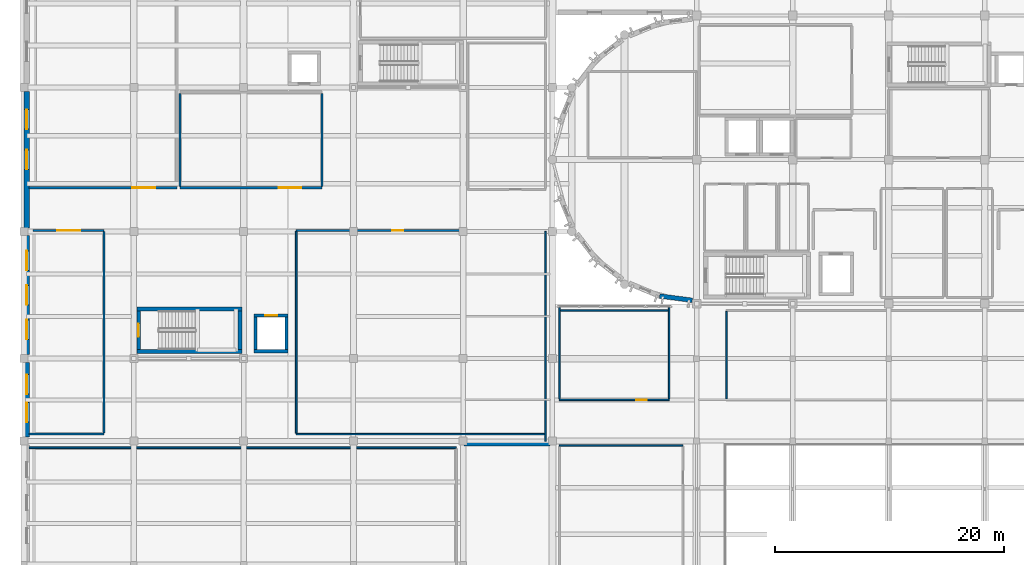
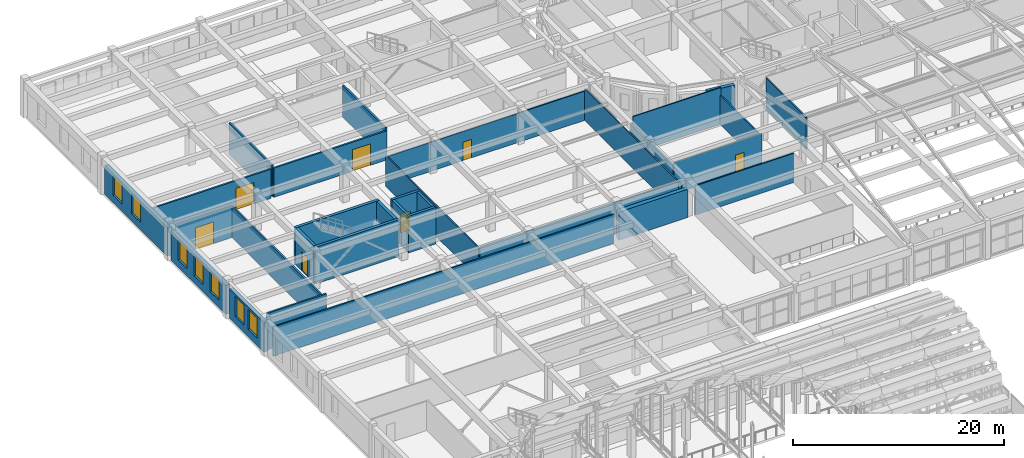
# One storey, part 67 of 91: 31 walls, 7 doors, 7 windows, 14 openings.
"""IFC4 building model written with IfcOpenShell, lengths in metres."""

from ifc_helpers import new_model, si_unit, direction, frame, frame_2d, origin, place, context, subcontext, project, spatial, rectangle, extrude, material, layer, layer_set, type_object, element, fill, save


model = new_model("IFC4")

# Units and contexts
model_context = context("Model", 3, precision=1e-05, world=origin(), true_north=direction((0.0, 1.0)))
body_context = subcontext(model_context, "Body", "Model", "MODEL_VIEW")
ifc_project = project(units=[si_unit("LENGTHUNIT", "METRE"), si_unit("AREAUNIT", "SQUARE_METRE"), si_unit("VOLUMEUNIT", "CUBIC_METRE"), si_unit("PLANEANGLEUNIT", "RADIAN"), si_unit("MASSUNIT", "GRAM", prefix="KILO")], contexts=[model_context])

# Site, building, storey
site_placement = place(None, origin())
site = spatial("IfcSite", under=ifc_project, at=site_placement, CompositionType="ELEMENT")
building_placement = place(site_placement, origin())
building = spatial("IfcBuilding", under=site, at=building_placement, Name="Tarnavel Promenade Courthouse", CompositionType="ELEMENT")
storey_placement = place(building_placement, frame((0.0, 0.0, 9.89990234375)))
storey = spatial("IfcBuildingStorey", under=building, at=storey_placement, Name="L03", CompositionType="ELEMENT", Elevation=9.89990234375)

# Wall
ifc_material_1 = material(Name="Acoustic Insulated Gypsum Stud Partition", Category="gypsum")
ifc_layer_1 = layer(ifc_material_1, 0.14990234375)
ifc_layer_set_1 = layer_set([ifc_layer_1], Name="Acoustic Insulated Gypsum Stud Partition")
wall_type_1 = type_object("IfcWallType", Name="Acoustic Insulated Gypsum Stud Partition WL-LIB-150 (150 mm)", PredefinedType="PARTITIONING", material=ifc_layer_set_1)
wall_1_placement = place(storey_placement, frame((0.4541015625, 66.60009765625, 0.0), z_axis=(0.0, 0.0, 1.0), x_axis=(1.0, 0.0, 0.0)))
element("IfcWall", 1, at=wall_1_placement, inside=storey, type_object=wall_type_1, Name="L03 Law Library Book Stacks Case Reports Partition 0452", PredefinedType="PARTITIONING", context=body_context, shape_type="SweptSolid", body=[
    extrude(rectangle(XDim=37.345947265625, YDim=0.14990234375, at=frame_2d((18.6728515625, 0.0))), origin(), (0.0, 0.0, 1.0), 3.380126953125),
])

# Wall, opening, door
ifc_material_2 = material(Name="Concrete C40/50", Category="concrete")
ifc_layer_2 = layer(ifc_material_2, 0.280029296875)
ifc_layer_set_2 = layer_set([ifc_layer_2], Name="Concrete C40/50")
wall_type_2 = type_object("IfcWallType", Name="Concrete C40/50 WL-SHR-280 (280 mm)", PredefinedType="SHEAR", material=ifc_layer_set_2)
wall_2_placement = place(storey_placement, frame((20.10009765625, 78.159912109375, 0.0), z_axis=(0.0, 0.0, 1.0), x_axis=(1.0, 0.0, 0.0)))
wall_2 = element("IfcWall", 2, at=wall_2_placement, inside=storey, type_object=wall_type_2, Name="L03 L-PUB3 Lift Shaft North Wall", PredefinedType="SHEAR", context=body_context, shape_type="SweptSolid", body=[
    extrude(rectangle(XDim=3.0, YDim=0.280029296875, at=frame_2d((1.5, 0.0))), origin(), (0.0, 0.0, 1.0), 4.25),
])
opening_1_placement = place(wall_2_placement, frame((0.97509765625, 0.0, 0.0)))
opening_1 = element("IfcOpeningElement", 3, at=opening_1_placement, cuts=wall_2, Name="Opening LD-02", PredefinedType="OPENING", context=body_context, shape_type="SweptSolid", body=[
    extrude(rectangle(XDim=1.050048828125, YDim=2.199951171875, at=frame_2d((0.52490234375, 1.10009765625))), frame((0.0, 0.14990234375, 0.0), z_axis=(0.0, -1.0, 0.0), x_axis=(1.0, 0.0, 0.0)), (0.0, 0.0, 1.0), 0.300048828125),
])
ifc_material_3 = material(Name="Brushed Bronze Passenger Lift Landing Sliding Door")
door_type_1 = type_object("IfcDoorType", Name="Brushed Bronze Passenger Lift Landing Sliding Door (LD-PUB-1050x2200)", OperationType="NOTDEFINED", PredefinedType="DOOR", material=ifc_material_3)
door_1_placement = place(opening_1_placement, origin())
door_1 = element("IfcDoor", 4, at=door_1_placement, inside=storey, type_object=door_type_1, Name="L03 L-PUB3 Lift Sliding Landing Door", OperationType="DOUBLE_DOOR_SLIDING", OverallHeight=2.199951171875, OverallWidth=1.050048828125, PredefinedType="DOOR", context=body_context, shape_type="SweptSolid", body=[
    extrude(rectangle(XDim=1.050048828125, YDim=2.199951171875, at=frame_2d((0.52490234375, 1.10009765625))), frame((0.0, 0.02490234375, 0.0), z_axis=(0.0, -1.0, 0.0), x_axis=(1.0, 0.0, 0.0)), (0.0, 0.0, 1.0), 0.050048828125),
])
fill(opening_1, door_1)

# Walls
wall_3_placement = place(storey_placement, frame((23.10009765625, 75.0400390625, 0.0), z_axis=(0.0, 0.0, 1.0), x_axis=(-1.0, 0.0, 0.0)))
element("IfcWall", 5, at=wall_3_placement, inside=storey, type_object=wall_type_2, Name="L03 L-PUB3 Lift Shaft South Wall", PredefinedType="SHEAR", context=body_context, shape_type="SweptSolid", body=[
    extrude(rectangle(XDim=3.0, YDim=0.280029296875, at=frame_2d((1.5, 0.0))), origin(), (0.0, 0.0, 1.0), 4.25),
])
for number, where, z_axis, x_axis, name in (
    (6, (20.239990234375, 75.179931640625, 0.0), (0.0, 0.0, 1.0), (0.0, 1.0, 0.0), "L03 L-PUB3 Lift Shaft West Wall"),
    (7, (22.9599609375, 78.02001953125, 0.0), (0.0, 0.0, 1.0), (0.0, -1.0, 0.0), "L03 L-PUB3 Lift Shaft East Wall"),
):
    element("IfcWall", number, at=place(storey_placement, frame(where, z_axis=z_axis, x_axis=x_axis)), inside=storey, type_object=wall_type_2, Name=name, PredefinedType="SHEAR", context=body_context, shape_type="SweptSolid", body=[
        extrude(rectangle(XDim=2.840087890625, YDim=0.280029296875, at=frame_2d((1.419921875, 0.0))), origin(), (0.0, 0.0, 1.0), 4.25),
    ])
ifc_layer_3 = layer(ifc_material_2, 0.320068359375)
ifc_layer_set_3 = layer_set([ifc_layer_3], Name="Concrete C40/50")
wall_type_3 = type_object("IfcWallType", Name="Concrete C40/50 WL-SHR-320 (320 mm)", PredefinedType="SHEAR", material=ifc_layer_set_3)
for number, where, z_axis, x_axis, name in (
    (8, (9.860107421875, 78.739990234375, 0.0), (0.0, 0.0, 1.0), (1.0, 0.0, 0.0), "L03 ST-04 Shear Core North Wall"),
    (9, (19.0400390625, 75.02001953125, 0.0), (0.0, 0.0, 1.0), (-1.0, 0.0, 0.0), "L03 ST-04 Shear Core South Wall"),
):
    element("IfcWall", number, at=place(storey_placement, frame(where, z_axis=z_axis, x_axis=x_axis)), inside=storey, type_object=wall_type_3, Name=name, PredefinedType="SHEAR", context=body_context, shape_type="SweptSolid", body=[
        extrude(rectangle(XDim=9.179931640625, YDim=0.320068359375, at=frame_2d((4.58984375, 0.0))), origin(), (0.0, 0.0, 1.0), 4.25),
    ])

# Wall, opening, door
wall_4_placement = place(storey_placement, frame((10.02001953125, 75.179931640625, 0.0), z_axis=(0.0, 0.0, 1.0), x_axis=(0.0, 1.0, 0.0)))
wall_4 = element("IfcWall", 10, at=wall_4_placement, inside=storey, type_object=wall_type_3, Name="L03 ST-04 Shear Core West Landing Wall", PredefinedType="SHEAR", context=body_context, shape_type="SweptSolid", body=[
    extrude(rectangle(XDim=3.400146484375, YDim=0.320068359375, at=frame_2d((1.7001953125, 0.0))), origin(), (0.0, 0.0, 1.0), 4.25),
])
opening_2_placement = place(wall_4_placement, frame((1.125, 0.0, 0.0)))
opening_2 = element("IfcOpeningElement", 11, at=opening_2_placement, cuts=wall_4, Name="Opening FD-01", PredefinedType="OPENING", context=body_context, shape_type="SweptSolid", body=[
    extrude(rectangle(XDim=1.14990234375, YDim=2.199951171875, at=frame_2d((0.574951171875, 1.10009765625))), frame((0.0, 0.169921875, 0.0), z_axis=(0.0, -1.0, 0.0), x_axis=(1.0, 0.0, 0.0)), (0.0, 0.0, 1.0), 0.340087890625),
])
ifc_material_4 = material(Name="Steel Fire-Rated Stair Core Door", Category="steel")
door_type_2 = type_object("IfcDoorType", Name="Steel Fire-Rated Stair Core Door (DR-ST-1150x2200)", OperationType="NOTDEFINED", PredefinedType="DOOR", material=ifc_material_4)
door_2_placement = place(opening_2_placement, origin())
door_2 = element("IfcDoor", 12, at=door_2_placement, inside=storey, type_object=door_type_2, Name="L03 ST-04 Protected Exit Stair Door", OperationType="SINGLE_SWING_LEFT", OverallHeight=2.199951171875, OverallWidth=1.14990234375, PredefinedType="DOOR", context=body_context, shape_type="SweptSolid", body=[
    extrude(rectangle(XDim=1.14990234375, YDim=2.199951171875, at=frame_2d((0.574951171875, 1.10009765625))), frame((0.0, 0.02490234375, 0.0), z_axis=(0.0, -1.0, 0.0), x_axis=(1.0, 0.0, 0.0)), (0.0, 0.0, 1.0), 0.050048828125),
])
fill(opening_2, door_2)

# Wall
wall_5_placement = place(storey_placement, frame((18.8798828125, 78.580078125, 0.0), z_axis=(0.0, 0.0, 1.0), x_axis=(0.0, -1.0, 0.0)))
element("IfcWall", 13, at=wall_5_placement, inside=storey, type_object=wall_type_3, Name="L03 ST-04 Shear Core East Wall", PredefinedType="SHEAR", context=body_context, shape_type="SweptSolid", body=[
    extrude(rectangle(XDim=3.400146484375, YDim=0.320068359375, at=frame_2d((1.7001953125, 0.0))), origin(), (0.0, 0.0, 1.0), 4.25),
])

# Wall, opening, door
ifc_material_5 = material(Name="Double-Stud Acoustic Courtroom Partition Assembly", Category="gypsum")
ifc_layer_4 = layer(ifc_material_5, 0.18505859375)
ifc_layer_set_4 = layer_set([ifc_layer_4], Name="Double-Stud Acoustic Courtroom Partition Assembly")
wall_type_4 = type_object("IfcWallType", Name="Double-Stud Acoustic Courtroom Partition Assembly WL-CRT-185 (185 mm)", PredefinedType="PARTITIONING", material=ifc_layer_set_4)
wall_6_placement = place(storey_placement, frame((13.360107421875, 89.340087890625, 0.0), z_axis=(0.0, 0.0, 1.0), x_axis=(-1.0, 0.0, 0.0)))
wall_6 = element("IfcWall", 14, at=wall_6_placement, inside=storey, type_object=wall_type_4, Name="L03 Criminal Assize Courtroom A Partition 0432", PredefinedType="PARTITIONING", context=body_context, shape_type="SweptSolid", body=[
    extrude(rectangle(XDim=12.906005859375, YDim=0.18505859375, at=frame_2d((6.453125, 0.0))), origin(), (0.0, 0.0, 1.0), 3.380126953125),
])
opening_3_placement = place(wall_6_placement, frame((1.880859375, 0.0, 0.0)))
opening_3 = element("IfcOpeningElement", 15, at=opening_3_placement, cuts=wall_6, Name="Opening ID-01", PredefinedType="OPENING", context=body_context, shape_type="SweptSolid", body=[
    extrude(rectangle(XDim=2.0, YDim=2.5, at=frame_2d((1.0, 1.25))), frame((0.0, 0.1025390625, 0.0), z_axis=(0.0, -1.0, 0.0), x_axis=(1.0, 0.0, 0.0)), (0.0, 0.0, 1.0), 0.205078125),
])
ifc_material_6 = material(Name="Solid Oak Acoustic Courtroom Double Door")
door_type_3 = type_object("IfcDoorType", Name="Solid Oak Acoustic Courtroom Double Door (DR-CRT-2000x2500)", OperationType="NOTDEFINED", PredefinedType="DOOR", material=ifc_material_6)
door_3_placement = place(opening_3_placement, origin())
door_3 = element("IfcDoor", 16, at=door_3_placement, inside=storey, type_object=door_type_3, Name="L03 Criminal Assize Courtroom A Door 0123", OperationType="DOUBLE_DOOR_SINGLE_SWING", OverallHeight=2.5, OverallWidth=2.0, PredefinedType="DOOR", context=body_context, shape_type="SweptSolid", body=[
    extrude(rectangle(XDim=2.0, YDim=2.5, at=frame_2d((1.0, 1.25))), frame((0.0, 0.02490234375, 0.0), z_axis=(0.0, -1.0, 0.0), x_axis=(1.0, 0.0, 0.0)), (0.0, 0.0, 1.0), 0.050048828125),
])
fill(opening_3, door_3)

wall_7_placement = place(storey_placement, frame((26.06005859375, 89.340087890625, 0.0), z_axis=(0.0, 0.0, 1.0), x_axis=(-1.0, 0.0, 0.0)))
wall_7 = element("IfcWall", 17, at=wall_7_placement, inside=storey, type_object=wall_type_4, Name="L03 Criminal Assize Courtroom B Partition 0435", PredefinedType="PARTITIONING", context=body_context, shape_type="SweptSolid", body=[
    extrude(rectangle(XDim=12.420166015625, YDim=0.18505859375, at=frame_2d((6.2099609375, 0.0))), origin(), (0.0, 0.0, 1.0), 3.380126953125),
])
opening_4_placement = place(wall_7_placement, frame((1.80810546875, 0.0, 0.0)))
opening_4 = element("IfcOpeningElement", 18, at=opening_4_placement, cuts=wall_7, Name="Opening ID-01", PredefinedType="OPENING", context=body_context, shape_type="SweptSolid", body=[
    extrude(rectangle(XDim=2.0, YDim=2.5, at=frame_2d((1.0, 1.25))), frame((0.0, 0.1025390625, 0.0), z_axis=(0.0, -1.0, 0.0), x_axis=(1.0, 0.0, 0.0)), (0.0, 0.0, 1.0), 0.205078125),
])
door_4_placement = place(opening_4_placement, origin())
door_4 = element("IfcDoor", 19, at=door_4_placement, inside=storey, type_object=door_type_3, Name="L03 Criminal Assize Courtroom B Door 0124", OperationType="DOUBLE_DOOR_SINGLE_SWING", OverallHeight=2.5, OverallWidth=2.0, PredefinedType="DOOR", context=body_context, shape_type="SweptSolid", body=[
    extrude(rectangle(XDim=2.0, YDim=2.5, at=frame_2d((1.0, 1.25))), frame((0.0, 0.02490234375, 0.0), z_axis=(0.0, -1.0, 0.0), x_axis=(1.0, 0.0, 0.0)), (0.0, 0.0, 1.0), 0.050048828125),
])
fill(opening_4, door_4)

# Walls
for number, where, z_axis, x_axis, name in (
    (20, (13.639892578125, 89.4423828125, 0.0), (0.0, 0.0, 1.0), (0.0, 1.0, 0.0), "L03 Criminal Assize Courtroom B Partition 0436"),
    (21, (26.06005859375, 97.597412109375, 0.0), (0.0, 0.0, 1.0), (0.0, -1.0, 0.0), "L03 Criminal Assize Courtroom B Partition 0437"),
):
    element("IfcWall", number, at=place(storey_placement, frame(where, z_axis=z_axis, x_axis=x_axis)), inside=storey, type_object=wall_type_4, Name=name, PredefinedType="PARTITIONING", context=body_context, shape_type="SweptSolid", body=[
        extrude(rectangle(XDim=8.155029296875, YDim=0.18505859375, at=frame_2d((4.07763671875, 0.0))), origin(), (0.0, 0.0, 1.0), 3.630126953125),
    ])

# Wall, opening, door
wall_8_placement = place(storey_placement, frame((0.800048828125, 85.60009765625, 0.0), z_axis=(0.0, 0.0, 1.0), x_axis=(1.0, 0.0, 0.0)))
wall_8 = element("IfcWall", 22, at=wall_8_placement, inside=storey, type_object=wall_type_4, Name="L03 Criminal Trial Courtroom C Partition 0445", PredefinedType="PARTITIONING", context=body_context, shape_type="SweptSolid", body=[
    extrude(rectangle(XDim=6.199951171875, YDim=0.18505859375, at=frame_2d((3.10009765625, 0.0))), origin(), (0.0, 0.0, 1.0), 3.580078125),
])
opening_5_placement = place(wall_8_placement, frame((2.10009765625, 0.0, 0.0)))
opening_5 = element("IfcOpeningElement", 23, at=opening_5_placement, cuts=wall_8, Name="Opening ID-01", PredefinedType="OPENING", context=body_context, shape_type="SweptSolid", body=[
    extrude(rectangle(XDim=2.0, YDim=2.5, at=frame_2d((1.0, 1.25))), frame((0.0, 0.1025390625, 0.0), z_axis=(0.0, -1.0, 0.0), x_axis=(1.0, 0.0, 0.0)), (0.0, 0.0, 1.0), 0.205078125),
])
door_5_placement = place(opening_5_placement, origin())
door_5 = element("IfcDoor", 24, at=door_5_placement, inside=storey, type_object=door_type_3, Name="L03 Criminal Trial Courtroom C Door 0127", OperationType="DOUBLE_DOOR_SINGLE_SWING", OverallHeight=2.5, OverallWidth=2.0, PredefinedType="DOOR", context=body_context, shape_type="SweptSolid", body=[
    extrude(rectangle(XDim=2.0, YDim=2.5, at=frame_2d((1.0, 1.25))), frame((0.0, 0.02490234375, 0.0), z_axis=(0.0, -1.0, 0.0), x_axis=(1.0, 0.0, 0.0)), (0.0, 0.0, 1.0), 0.050048828125),
])
fill(opening_5, door_5)

# Walls
wall_9_placement = place(storey_placement, frame((7.0, 67.800048828125, 0.0), z_axis=(0.0, 0.0, 1.0), x_axis=(-1.0, 0.0, 0.0)))
element("IfcWall", 25, at=wall_9_placement, inside=storey, type_object=wall_type_4, Name="L03 Criminal Trial Courtroom C Partition 0446", PredefinedType="PARTITIONING", context=body_context, shape_type="SweptSolid", body=[
    extrude(rectangle(XDim=6.5458984375, YDim=0.18505859375, at=frame_2d((3.27294921875, 0.0))), origin(), (0.0, 0.0, 1.0), 4.235107421875),
])
wall_10_placement = place(storey_placement, frame((7.0, 85.49755859375, 0.0), z_axis=(0.0, 0.0, 1.0), x_axis=(0.0, -1.0, 0.0)))
element("IfcWall", 26, at=wall_10_placement, inside=storey, type_object=wall_type_4, Name="L03 Criminal Trial Courtroom C Partition 0447", PredefinedType="PARTITIONING", context=body_context, shape_type="SweptSolid", body=[
    extrude(rectangle(XDim=17.594970703125, YDim=0.18505859375, at=frame_2d((8.79736328125, 0.0))), origin(), (0.0, 0.0, 1.0), 3.580078125),
])

# Wall, openings, windows
ifc_material_7 = material(Name="Limestone Ashlar Faced Insulated Brick Masonry", Category="masonry")
ifc_layer_5 = layer(ifc_material_7, 0.43994140625)
ifc_layer_set_5 = layer_set([ifc_layer_5], Name="Limestone Ashlar Faced Insulated Brick Masonry")
wall_type_5 = type_object("IfcWallType", Name="Limestone Ashlar Faced Insulated Brick Masonry WL-EXT-440 (440 mm)", PredefinedType="STANDARD", material=ifc_layer_set_5)
wall_11_placement = place(storey_placement, frame((0.239990234375, 67.5419921875, 0.0), z_axis=(0.0, 0.0, 1.0), x_axis=(0.0, 1.0, 0.0)))
wall_11 = element("IfcWall", 27, at=wall_11_placement, inside=storey, type_object=wall_type_5, Name="L03 Trial Wing West Ashlar Facade 0295", PredefinedType="STANDARD", context=body_context, shape_type="SweptSolid", body=[
    extrude(rectangle(XDim=6.52099609375, YDim=0.43994140625, at=frame_2d((3.260498046875, 0.0))), origin(), (0.0, 0.0, 1.0), 3.43017578125),
])
opening_6_placement = place(wall_11_placement, frame((1.302978515625, 0.0, 0.85009765625)))
opening_6 = element("IfcOpeningElement", 28, at=opening_6_placement, cuts=wall_11, Name="Opening W-01", PredefinedType="OPENING", context=body_context, shape_type="SweptSolid", body=[
    extrude(rectangle(XDim=1.699951171875, YDim=2.300048828125, at=frame_2d((0.85009765625, 1.14990234375))), frame((0.0, 0.22998046875, 0.0), z_axis=(0.0, -1.0, 0.0), x_axis=(1.0, 0.0, 0.0)), (0.0, 0.0, 1.0), 0.4599609375),
])
opening_7_placement = place(wall_11_placement, frame((3.7529296875, 0.0, 0.85009765625)))
opening_7 = element("IfcOpeningElement", 29, at=opening_7_placement, cuts=wall_11, Name="Opening W-01", PredefinedType="OPENING", context=body_context, shape_type="SweptSolid", body=[
    extrude(rectangle(XDim=1.699951171875, YDim=2.300048828125, at=frame_2d((0.85009765625, 1.14990234375))), frame((0.0, 0.22998046875, 0.0), z_axis=(0.0, -1.0, 0.0), x_axis=(1.0, 0.0, 0.0)), (0.0, 0.0, 1.0), 0.4599609375),
])
ifc_material_8 = material(Name="Triple Low-E Glazed Bronze-Clad Window Assembly")
window_type = type_object("IfcWindowType", Name="Triple-Glazed Bronze-Clad Timber-Aluminium WIN-CRT-1700x2300", PartitioningType="SINGLE_PANEL", PredefinedType="WINDOW", material=ifc_material_8)
window_1_placement = place(opening_6_placement, origin())
window_1 = element("IfcWindow", 30, at=window_1_placement, inside=storey, type_object=window_type, Name="L03 Exterior Window 0287", OverallHeight=2.300048828125, OverallWidth=1.699951171875, PartitioningType="SINGLE_PANEL", PredefinedType="WINDOW", context=body_context, shape_type="SweptSolid", body=[
    extrude(rectangle(XDim=1.699951171875, YDim=2.300048828125, at=frame_2d((0.85009765625, 1.14990234375))), frame((0.0, 0.030029296875, 0.0), z_axis=(0.0, -1.0, 0.0), x_axis=(1.0, 0.0, 0.0)), (0.0, 0.0, 1.0), 0.06005859375),
])
fill(opening_6, window_1)
window_2_placement = place(opening_7_placement, origin())
window_2 = element("IfcWindow", 31, at=window_2_placement, inside=storey, type_object=window_type, Name="L03 Exterior Window 0288", OverallHeight=2.300048828125, OverallWidth=1.699951171875, PartitioningType="SINGLE_PANEL", PredefinedType="WINDOW", context=body_context, shape_type="SweptSolid", body=[
    extrude(rectangle(XDim=1.699951171875, YDim=2.300048828125, at=frame_2d((0.85009765625, 1.14990234375))), frame((0.0, 0.030029296875, 0.0), z_axis=(0.0, -1.0, 0.0), x_axis=(1.0, 0.0, 0.0)), (0.0, 0.0, 1.0), 0.06005859375),
])
fill(opening_7, window_2)

wall_12_placement = place(storey_placement, frame((0.239990234375, 74.741943359375, 0.0), z_axis=(0.0, 0.0, 1.0), x_axis=(0.0, 1.0, 0.0)))
wall_12 = element("IfcWall", 32, at=wall_12_placement, inside=storey, type_object=wall_type_5, Name="L03 Trial Wing West Ashlar Facade 0296", PredefinedType="STANDARD", context=body_context, shape_type="SweptSolid", body=[
    extrude(rectangle(XDim=10.421142578125, YDim=0.43994140625, at=frame_2d((5.21044921875, 0.0))), origin(), (0.0, 0.0, 1.0), 3.380126953125),
])
opening_8_placement = place(wall_12_placement, frame((1.3447265625, 0.0, 0.85009765625)))
opening_8 = element("IfcOpeningElement", 33, at=opening_8_placement, cuts=wall_12, Name="Opening W-01", PredefinedType="OPENING", context=body_context, shape_type="SweptSolid", body=[
    extrude(rectangle(XDim=1.699951171875, YDim=2.300048828125, at=frame_2d((0.85009765625, 1.14990234375))), frame((0.0, 0.22998046875, 0.0), z_axis=(0.0, -1.0, 0.0), x_axis=(1.0, 0.0, 0.0)), (0.0, 0.0, 1.0), 0.4599609375),
])
opening_9_placement = place(wall_12_placement, frame((4.35791015625, 0.0, 0.85009765625)))
opening_9 = element("IfcOpeningElement", 34, at=opening_9_placement, cuts=wall_12, Name="Opening W-01", PredefinedType="OPENING", context=body_context, shape_type="SweptSolid", body=[
    extrude(rectangle(XDim=1.699951171875, YDim=2.300048828125, at=frame_2d((0.85009765625, 1.14990234375))), frame((0.0, 0.22998046875, 0.0), z_axis=(0.0, -1.0, 0.0), x_axis=(1.0, 0.0, 0.0)), (0.0, 0.0, 1.0), 0.4599609375),
])
opening_10_placement = place(wall_12_placement, frame((7.371337890625, 0.0, 0.85009765625)))
opening_10 = element("IfcOpeningElement", 35, at=opening_10_placement, cuts=wall_12, Name="Opening W-01", PredefinedType="OPENING", context=body_context, shape_type="SweptSolid", body=[
    extrude(rectangle(XDim=1.699951171875, YDim=2.300048828125, at=frame_2d((0.85009765625, 1.14990234375))), frame((0.0, 0.22998046875, 0.0), z_axis=(0.0, -1.0, 0.0), x_axis=(1.0, 0.0, 0.0)), (0.0, 0.0, 1.0), 0.4599609375),
])
window_3_placement = place(opening_8_placement, origin())
window_3 = element("IfcWindow", 36, at=window_3_placement, inside=storey, type_object=window_type, Name="L03 Exterior Window 0289", OverallHeight=2.300048828125, OverallWidth=1.699951171875, PartitioningType="SINGLE_PANEL", PredefinedType="WINDOW", context=body_context, shape_type="SweptSolid", body=[
    extrude(rectangle(XDim=1.699951171875, YDim=2.300048828125, at=frame_2d((0.85009765625, 1.14990234375))), frame((0.0, 0.030029296875, 0.0), z_axis=(0.0, -1.0, 0.0), x_axis=(1.0, 0.0, 0.0)), (0.0, 0.0, 1.0), 0.06005859375),
])
fill(opening_8, window_3)
window_4_placement = place(opening_9_placement, origin())
window_4 = element("IfcWindow", 37, at=window_4_placement, inside=storey, type_object=window_type, Name="L03 Exterior Window 0290", OverallHeight=2.300048828125, OverallWidth=1.699951171875, PartitioningType="SINGLE_PANEL", PredefinedType="WINDOW", context=body_context, shape_type="SweptSolid", body=[
    extrude(rectangle(XDim=1.699951171875, YDim=2.300048828125, at=frame_2d((0.85009765625, 1.14990234375))), frame((0.0, 0.030029296875, 0.0), z_axis=(0.0, -1.0, 0.0), x_axis=(1.0, 0.0, 0.0)), (0.0, 0.0, 1.0), 0.06005859375),
])
fill(opening_9, window_4)
window_5_placement = place(opening_10_placement, origin())
window_5 = element("IfcWindow", 38, at=window_5_placement, inside=storey, type_object=window_type, Name="L03 Exterior Window 0291", OverallHeight=2.300048828125, OverallWidth=1.699951171875, PartitioningType="SINGLE_PANEL", PredefinedType="WINDOW", context=body_context, shape_type="SweptSolid", body=[
    extrude(rectangle(XDim=1.699951171875, YDim=2.300048828125, at=frame_2d((0.85009765625, 1.14990234375))), frame((0.0, 0.030029296875, 0.0), z_axis=(0.0, -1.0, 0.0), x_axis=(1.0, 0.0, 0.0)), (0.0, 0.0, 1.0), 0.06005859375),
])
fill(opening_10, window_5)

wall_13_placement = place(storey_placement, frame((0.239990234375, 85.8369140625, 0.0), z_axis=(0.0, 0.0, 1.0), x_axis=(0.0, 1.0, 0.0)))
wall_13 = element("IfcWall", 39, at=wall_13_placement, inside=storey, type_object=wall_type_5, Name="L03 Trial Wing West Ashlar Facade 0297", PredefinedType="STANDARD", context=body_context, shape_type="SweptSolid", body=[
    extrude(rectangle(XDim=11.921142578125, YDim=0.43994140625, at=frame_2d((5.96044921875, 0.0))), origin(), (0.0, 0.0, 1.0), 3.330078125),
])
opening_11_placement = place(wall_13_placement, frame((5.113037109375, 0.0, 0.85009765625)))
opening_11 = element("IfcOpeningElement", 40, at=opening_11_placement, cuts=wall_13, Name="Opening W-01", PredefinedType="OPENING", context=body_context, shape_type="SweptSolid", body=[
    extrude(rectangle(XDim=1.699951171875, YDim=2.300048828125, at=frame_2d((0.85009765625, 1.14990234375))), frame((0.0, 0.22998046875, 0.0), z_axis=(0.0, -1.0, 0.0), x_axis=(1.0, 0.0, 0.0)), (0.0, 0.0, 1.0), 0.4599609375),
])
opening_12_placement = place(wall_13_placement, frame((8.626220703125, 0.0, 0.85009765625)))
opening_12 = element("IfcOpeningElement", 41, at=opening_12_placement, cuts=wall_13, Name="Opening W-01", PredefinedType="OPENING", context=body_context, shape_type="SweptSolid", body=[
    extrude(rectangle(XDim=1.699951171875, YDim=2.300048828125, at=frame_2d((0.85009765625, 1.14990234375))), frame((0.0, 0.22998046875, 0.0), z_axis=(0.0, -1.0, 0.0), x_axis=(1.0, 0.0, 0.0)), (0.0, 0.0, 1.0), 0.4599609375),
])
window_6_placement = place(opening_11_placement, origin())
window_6 = element("IfcWindow", 42, at=window_6_placement, inside=storey, type_object=window_type, Name="L03 Exterior Window 0292", OverallHeight=2.300048828125, OverallWidth=1.699951171875, PartitioningType="SINGLE_PANEL", PredefinedType="WINDOW", context=body_context, shape_type="SweptSolid", body=[
    extrude(rectangle(XDim=1.699951171875, YDim=2.300048828125, at=frame_2d((0.85009765625, 1.14990234375))), frame((0.0, 0.030029296875, 0.0), z_axis=(0.0, -1.0, 0.0), x_axis=(1.0, 0.0, 0.0)), (0.0, 0.0, 1.0), 0.06005859375),
])
fill(opening_11, window_6)
window_7_placement = place(opening_12_placement, origin())
window_7 = element("IfcWindow", 43, at=window_7_placement, inside=storey, type_object=window_type, Name="L03 Exterior Window 0293", OverallHeight=2.300048828125, OverallWidth=1.699951171875, PartitioningType="SINGLE_PANEL", PredefinedType="WINDOW", context=body_context, shape_type="SweptSolid", body=[
    extrude(rectangle(XDim=1.699951171875, YDim=2.300048828125, at=frame_2d((0.85009765625, 1.14990234375))), frame((0.0, 0.030029296875, 0.0), z_axis=(0.0, -1.0, 0.0), x_axis=(1.0, 0.0, 0.0)), (0.0, 0.0, 1.0), 0.06005859375),
])
fill(opening_12, window_7)

# Wall
wall_14_placement = place(storey_placement, frame((38.449951171875, 66.9599609375, 0.0), z_axis=(0.0, 0.0, 1.0), x_axis=(1.0, 0.0, 0.0)))
element("IfcWall", 44, at=wall_14_placement, inside=storey, type_object=wall_type_5, Name="L03 Winter-Garden West Link North Wall 0441", PredefinedType="STANDARD", context=body_context, shape_type="SweptSolid", body=[
    extrude(rectangle(XDim=7.550048828125, YDim=0.43994140625, at=frame_2d((3.77490234375, 0.0))), origin(), (0.0, 0.0, 1.0), 3.280029296875),
])

# Wall, opening, door
ifc_material_9 = material(Name="Metal-Stud Acoustic Gypsum Partition", Category="gypsum")
ifc_layer_6 = layer(ifc_material_9, 0.135009765625)
ifc_layer_set_6 = layer_set([ifc_layer_6], Name="Metal-Stud Acoustic Gypsum Partition")
wall_type_6 = type_object("IfcWallType", Name="Metal-Stud Acoustic Gypsum Partition WL-OFF-135 (135 mm)", PredefinedType="PARTITIONING", material=ifc_layer_set_6)
wall_15_placement = place(storey_placement, frame((23.800048828125, 85.60009765625, 0.0), z_axis=(0.0, 0.0, 1.0), x_axis=(1.0, 0.0, 0.0)))
wall_15 = element("IfcWall", 45, at=wall_15_placement, inside=storey, type_object=wall_type_6, Name="L03 Victim and Vulnerable Witness Suite Partition 0448", PredefinedType="PARTITIONING", context=body_context, shape_type="SweptSolid", body=[
    extrude(rectangle(XDim=21.800048828125, YDim=0.135009765625, at=frame_2d((10.89990234375, 0.0))), origin(), (0.0, 0.0, 1.0), 3.380126953125),
])
opening_13_placement = place(wall_15_placement, frame((8.409912109375, 0.0, 0.0)))
opening_13 = element("IfcOpeningElement", 46, at=opening_13_placement, cuts=wall_15, Name="Opening ID-06", PredefinedType="OPENING", context=body_context, shape_type="SweptSolid", body=[
    extrude(rectangle(XDim=0.949951171875, YDim=2.14990234375, at=frame_2d((0.47509765625, 1.074951171875))), frame((0.0, 0.077392578125, 0.0), z_axis=(0.0, -1.0, 0.0), x_axis=(1.0, 0.0, 0.0)), (0.0, 0.0, 1.0), 0.155029296875),
])
ifc_material_10 = material(Name="Acoustic Timber Veneer Office Door", Category="wood")
door_type_4 = type_object("IfcDoorType", Name="Acoustic Timber Veneer Office Door (DR-OFF-0950x2150)", OperationType="NOTDEFINED", PredefinedType="DOOR", material=ifc_material_10)
door_6_placement = place(opening_13_placement, origin())
door_6 = element("IfcDoor", 47, at=door_6_placement, inside=storey, type_object=door_type_4, Name="L03 Victim and Vulnerable Witness Suite Door 0128", OperationType="SINGLE_SWING_LEFT", OverallHeight=2.14990234375, OverallWidth=0.949951171875, PredefinedType="DOOR", context=body_context, shape_type="SweptSolid", body=[
    extrude(rectangle(XDim=0.949951171875, YDim=2.14990234375, at=frame_2d((0.47509765625, 1.074951171875))), frame((0.0, 0.02490234375, 0.0), z_axis=(0.0, -1.0, 0.0), x_axis=(1.0, 0.0, 0.0)), (0.0, 0.0, 1.0), 0.050048828125),
])
fill(opening_13, door_6)

# Walls
wall_16_placement = place(storey_placement, frame((45.60009765625, 67.800048828125, 0.0), z_axis=(0.0, 0.0, 1.0), x_axis=(-1.0, 0.0, 0.0)))
element("IfcWall", 48, at=wall_16_placement, inside=storey, type_object=wall_type_6, Name="L03 Victim and Vulnerable Witness Suite Partition 0449", PredefinedType="PARTITIONING", context=body_context, shape_type="SweptSolid", body=[
    extrude(rectangle(XDim=21.800048828125, YDim=0.135009765625, at=frame_2d((10.89990234375, 0.0))), origin(), (0.0, 0.0, 1.0), 3.72998046875),
])
wall_17_placement = place(storey_placement, frame((23.800048828125, 67.87744140625, 0.0), z_axis=(0.0, 0.0, 1.0), x_axis=(0.0, 1.0, 0.0)))
element("IfcWall", 49, at=wall_17_placement, inside=storey, type_object=wall_type_6, Name="L03 Victim and Vulnerable Witness Suite Partition 0450", PredefinedType="PARTITIONING", context=body_context, shape_type="SweptSolid", body=[
    extrude(rectangle(XDim=17.64501953125, YDim=0.135009765625, at=frame_2d((8.822509765625, 0.0))), origin(), (0.0, 0.0, 1.0), 3.580078125),
])
wall_18_placement = place(storey_placement, frame((45.60009765625, 85.5224609375, 0.0), z_axis=(0.0, 0.0, 1.0), x_axis=(0.0, -1.0, 0.0)))
element("IfcWall", 50, at=wall_18_placement, inside=storey, type_object=wall_type_6, Name="L03 Victim and Vulnerable Witness Suite Partition 0451", PredefinedType="PARTITIONING", context=body_context, shape_type="SweptSolid", body=[
    extrude(rectangle(XDim=18.348388671875, YDim=0.135009765625, at=frame_2d((9.17431640625, 0.0))), origin(), (0.0, 0.0, 1.0), 3.68017578125),
])
wall_19_placement = place(storey_placement, frame((46.800048828125, 78.60009765625, 0.0), z_axis=(0.0, 0.0, 1.0), x_axis=(1.0, 0.0, 0.0)))
element("IfcWall", 51, at=wall_19_placement, inside=storey, type_object=wall_type_6, Name="L03 Upper Balcony Witness Waiting Suite Partition 0484", PredefinedType="PARTITIONING", context=body_context, shape_type="SweptSolid", body=[
    extrude(rectangle(XDim=9.599853515625, YDim=0.135009765625, at=frame_2d((4.7998046875, 0.0))), origin(), (0.0, 0.0, 1.0), 4.235107421875),
])

# Wall, opening, door
wall_20_placement = place(storey_placement, frame((56.39990234375, 70.800048828125, 0.0), z_axis=(0.0, 0.0, 1.0), x_axis=(-1.0, 0.0, 0.0)))
wall_20 = element("IfcWall", 52, at=wall_20_placement, inside=storey, type_object=wall_type_6, Name="L03 Upper Balcony Witness Waiting Suite Partition 0485", PredefinedType="PARTITIONING", context=body_context, shape_type="SweptSolid", body=[
    extrude(rectangle(XDim=9.599853515625, YDim=0.135009765625, at=frame_2d((4.7998046875, 0.0))), origin(), (0.0, 0.0, 1.0), 3.68017578125),
])
opening_14_placement = place(wall_20_placement, frame((1.93994140625, 0.0, 0.0)))
opening_14 = element("IfcOpeningElement", 53, at=opening_14_placement, cuts=wall_20, Name="Opening ID-06", PredefinedType="OPENING", context=body_context, shape_type="SweptSolid", body=[
    extrude(rectangle(XDim=0.949951171875, YDim=2.14990234375, at=frame_2d((0.47509765625, 1.074951171875))), frame((0.0, 0.077392578125, 0.0), z_axis=(0.0, -1.0, 0.0), x_axis=(1.0, 0.0, 0.0)), (0.0, 0.0, 1.0), 0.155029296875),
])
door_7_placement = place(opening_14_placement, origin())
door_7 = element("IfcDoor", 54, at=door_7_placement, inside=storey, type_object=door_type_4, Name="L03 Upper Balcony Witness Waiting Suite Door 0139", OperationType="SINGLE_SWING_LEFT", OverallHeight=2.14990234375, OverallWidth=0.949951171875, PredefinedType="DOOR", context=body_context, shape_type="SweptSolid", body=[
    extrude(rectangle(XDim=0.949951171875, YDim=2.14990234375, at=frame_2d((0.47509765625, 1.074951171875))), frame((0.0, 0.02490234375, 0.0), z_axis=(0.0, -1.0, 0.0), x_axis=(1.0, 0.0, 0.0)), (0.0, 0.0, 1.0), 0.050048828125),
])
fill(opening_14, door_7)

# Walls
for number, where, z_axis, x_axis, name in (
    (55, (46.800048828125, 70.87744140625, 0.0), (0.0, 0.0, 1.0), (0.0, 1.0, 0.0), "L03 Upper Balcony Witness Waiting Suite Partition 0486"),
    (56, (56.39990234375, 78.860107421875, 0.0), (0.0, 0.0, 1.0), (0.0, -1.0, 0.0), "L03 Upper Balcony Witness Waiting Suite Partition 0487"),
):
    element("IfcWall", number, at=place(storey_placement, frame(where, z_axis=z_axis, x_axis=x_axis)), inside=storey, type_object=wall_type_6, Name=name, PredefinedType="PARTITIONING", context=body_context, shape_type="SweptSolid", body=[
        extrude(rectangle(XDim=7.982666015625, YDim=0.135009765625, at=frame_2d((3.9912109375, 0.0))), origin(), (0.0, 0.0, 1.0), 3.380126953125),
    ])
wall_21_placement = place(storey_placement, frame((61.39990234375, 70.87744140625, 0.0), z_axis=(0.0, 0.0, 1.0), x_axis=(0.0, 1.0, 0.0)))
element("IfcWall", 57, at=wall_21_placement, inside=storey, type_object=wall_type_6, Name="L03 Upper Balcony Appellate Case Docket Registry Partition 0490", PredefinedType="PARTITIONING", context=body_context, shape_type="SweptSolid", body=[
    extrude(rectangle(XDim=7.64501953125, YDim=0.135009765625, at=frame_2d((3.822509765625, 0.0))), origin(), (0.0, 0.0, 1.0), 3.68017578125),
])
wall_22_placement = place(storey_placement, frame((46.800048828125, 66.800048828125, 0.0), z_axis=(0.0, 0.0, 1.0), x_axis=(1.0, 0.0, 0.0)))
element("IfcWall", 58, at=wall_22_placement, inside=storey, type_object=wall_type_6, Name="L03 Upper Balcony Judicial Mediation and Case Conference Salon Partition 0492", PredefinedType="PARTITIONING", context=body_context, shape_type="SweptSolid", body=[
    extrude(rectangle(XDim=10.800048828125, YDim=0.135009765625, at=frame_2d((5.39990234375, 0.0))), origin(), (0.0, 0.0, 1.0), 3.380126953125),
])
ifc_material_11 = material(Name="Patinated Copper-Bronze Insulated Drum Wall Assembly", Category="masonry")
ifc_layer_7 = layer(ifc_material_11, 0.39501953125)
ifc_layer_set_7 = layer_set([ifc_layer_7], Name="Patinated Copper-Bronze Insulated Drum Wall Assembly")
wall_type_7 = type_object("IfcWallType", Name="Patinated Copper-Bronze Insulated Drum Wall Assembly WL-DRUM-395 (395 mm)", PredefinedType="ELEMENTEDWALL", material=ifc_layer_set_7)
wall_23_placement = place(storey_placement, frame((55.571533203125, 79.877197265625, 0.0), z_axis=(0.0, 0.0, 1.0), x_axis=(0.991440991126, -0.130555586306, 0.0)))
element("IfcWall", 59, at=wall_23_placement, inside=storey, type_object=wall_type_7, Name="L03 W Copper Drum Chord Wall 12 0068", PredefinedType="ELEMENTEDWALL", context=body_context, shape_type="SweptSolid", body=[
    extrude(rectangle(XDim=2.874267578125, YDim=0.39501953125, at=frame_2d((1.43701171875, 0.0))), origin(), (0.0, 0.0, 1.0), 3.380126953125),
])

save(model, "model.ifc")
